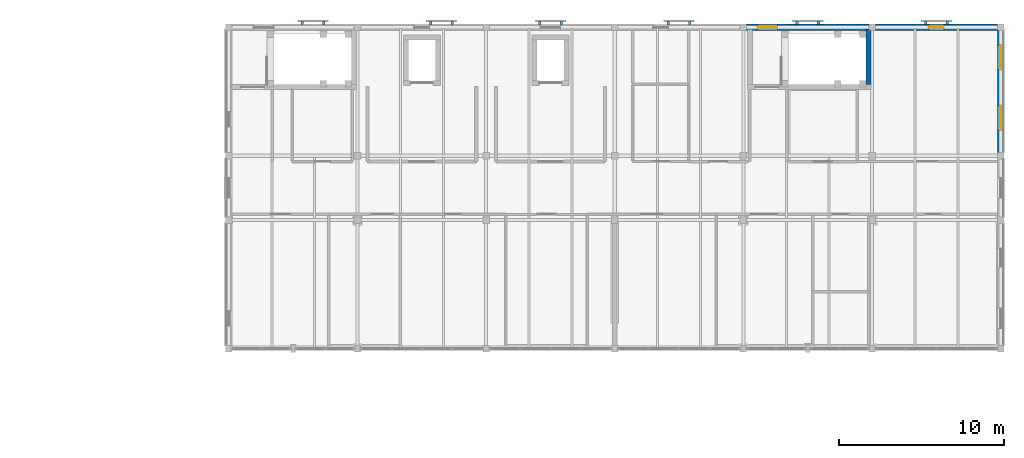
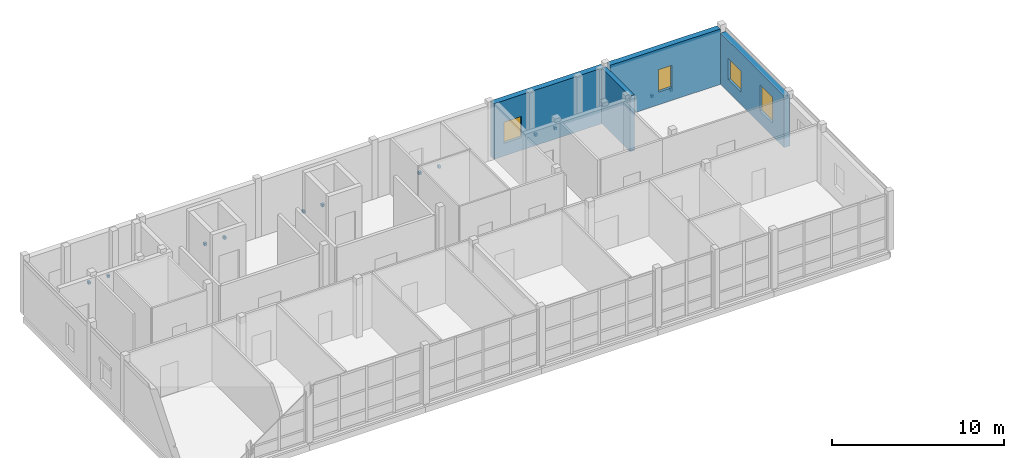
# One storey, part 19 of 21: 12 discrete accessories, 4 walls, 4 windows, 4 openings.
"""IFC4 building model written with IfcOpenShell, lengths in metres."""

import ifcopenshell
import ifcopenshell.guid

model = None  # the IFC model being written
_history = None  # IfcOwnerHistory: only IFC2X3 demands one
_inside = {}  # id of a spatial element -> (the spatial element, [elements in it])
_under = {}  # id of a project, library or spatial element -> (it, [spatial elements below it])
_declared = {}  # id of a project -> (the project, [libraries it declares])
_typed = {}  # id of a type object -> (the type object, [elements of that type])
_made_of = {}  # id of a material, layer set ... -> (it, [elements and type objects made of it])


def new_model(schema):
    """Start an empty IFC model of exactly this schema.

    Asked for "IFC4X3", IfcOpenShell would pick the latest addendum, in which some entities
    have other attributes; the version numbers below select the first issue.
    IFC2X3 requires an IfcOwnerHistory on every rooted entity: one is made here for all.
    """
    global model, _history
    if schema == "IFC4X3":
        model = ifcopenshell.file(schema_version=(4, 3, 0, 0))
    else:
        model = ifcopenshell.file(schema=schema)
    _inside.clear()
    _under.clear()
    _declared.clear()
    _typed.clear()
    _made_of.clear()
    _history = None
    if model.schema == "IFC2X3":
        org = make("IfcOrganization", Name="unknown")
        user = make(
            "IfcPersonAndOrganization",
            ThePerson=make("IfcPerson", FamilyName="unknown"),
            TheOrganization=org,
        )
        app = make(
            "IfcApplication",
            ApplicationDeveloper=org,
            Version="unknown",
            ApplicationFullName="unknown",
            ApplicationIdentifier="unknown",
        )
        _history = make(
            "IfcOwnerHistory",
            OwningUser=user,
            OwningApplication=app,
            ChangeAction="ADDED",
            CreationDate=0,
        )
    return model


def make(cls, **values):
    """One entity of the class cls with the attributes given. An attribute that is None is left unset."""
    return model.create_entity(
        cls, **{name: value for name, value in values.items() if value is not None}
    )


def rooted(cls, **values):
    """An entity with a GlobalId (a new one), such as an element, a storey or a relation."""
    return make(cls, GlobalId=ifcopenshell.guid.new(), OwnerHistory=_history, **values)


def si_unit(unit_type, name, prefix=None):
    """IfcSIUnit, for example si_unit("LENGTHUNIT", "METRE", prefix="MILLI")."""
    return make("IfcSIUnit", UnitType=unit_type, Prefix=prefix, Name=name)


def assignment(units):
    """IfcUnitAssignment: the units of a project."""
    return None if units is None else make("IfcUnitAssignment", Units=units)


def point(xyz):
    """IfcCartesianPoint."""
    return None if xyz is None else make("IfcCartesianPoint", Coordinates=xyz)


def direction(xyz):
    """IfcDirection."""
    return None if xyz is None else make("IfcDirection", DirectionRatios=xyz)


def frame(location, z_axis=None, x_axis=None):
    """IfcAxis2Placement3D, a coordinate frame: its origin and axes. An axis left out is left unset."""
    return make(
        "IfcAxis2Placement3D",
        Location=point(location),
        Axis=direction(z_axis),
        RefDirection=direction(x_axis),
    )


def frame_2d(location, x_axis=None):
    """IfcAxis2Placement2D, a coordinate frame in the plane: its origin and x axis."""
    return make(
        "IfcAxis2Placement2D", Location=point(location), RefDirection=direction(x_axis)
    )


def origin():
    """The frame at (0, 0, 0) with its axes left unset."""
    return frame((0.0, 0.0, 0.0))


def origin_2d():
    """The frame at (0, 0) in the plane with its x axis left unset."""
    return frame_2d((0.0, 0.0))


def place(relative_to, where):
    """IfcLocalPlacement: puts the frame where relative to a parent placement (None: the world)."""
    return make(
        "IfcLocalPlacement", PlacementRelTo=relative_to, RelativePlacement=where
    )


def context(
    kind, dimensions, precision=None, world=None, true_north=None, identifier=None
):
    """IfcGeometricRepresentationContext, for example the 3D "Model" context."""
    return make(
        "IfcGeometricRepresentationContext",
        ContextIdentifier=identifier,
        ContextType=kind,
        CoordinateSpaceDimension=dimensions,
        Precision=precision,
        WorldCoordinateSystem=world,
        TrueNorth=true_north,
    )


def subcontext(parent, identifier, kind, view, scale=None):
    """IfcGeometricRepresentationSubContext, for example "Body" below "Model"."""
    return make(
        "IfcGeometricRepresentationSubContext",
        ContextIdentifier=identifier,
        ContextType=kind,
        ParentContext=parent,
        TargetScale=scale,
        TargetView=view,
    )


def project(units=None, contexts=None):
    """IfcProject with its units and contexts."""
    return rooted(
        "IfcProject",
        Name="project",
        RepresentationContexts=contexts,
        UnitsInContext=assignment(units),
    )


def spatial(cls, under=None, at=None, **own):
    """A site, building, storey or space (cls), placed at a placement, below another one or the project."""
    s = rooted(cls, ObjectPlacement=at, **own)
    if under is not None:
        _under.setdefault(under.id(), (under, []))[1].append(s)
    return s


def profile(cls, at=None, kind="AREA", **sizes):
    """A parametric profile (cls). Its sizes go by their IFC names, for example OverallWidth=200.0."""
    return make(cls, ProfileType=kind, Position=at, **sizes)


def rectangle(**sizes):
    """IfcRectangleProfileDef."""
    return profile("IfcRectangleProfileDef", **sizes)


def extrude(swept, where, along, depth):
    """IfcExtrudedAreaSolid: the profile swept, set in the frame where, extruded along a direction by depth."""
    return make(
        "IfcExtrudedAreaSolid",
        SweptArea=swept,
        Position=where,
        ExtrudedDirection=direction(along),
        Depth=depth,
    )


def shape(context_of_items, identifier, shape_type, items):
    """IfcShapeRepresentation: the items that make up one representation, for example the "Body"."""
    return make(
        "IfcShapeRepresentation",
        ContextOfItems=context_of_items,
        RepresentationIdentifier=identifier,
        RepresentationType=shape_type,
        Items=items,
    )


def material(Name=None, Category=None):
    """IfcMaterial."""
    return make("IfcMaterial", Name=Name, Category=Category)


def layer(
    of_material, thickness, ventilated=None, Name=None, Category=None, Priority=None
):
    """IfcMaterialLayer: one layer of a wall or slab, of a material (None: an air gap)."""
    return make(
        "IfcMaterialLayer",
        Material=of_material,
        LayerThickness=thickness,
        IsVentilated=ventilated,
        Name=Name,
        Category=Category,
        Priority=Priority,
    )


def layer_set(layers, Name=None):
    """IfcMaterialLayerSet."""
    return make("IfcMaterialLayerSet", MaterialLayers=layers, LayerSetName=Name)


def made_of(thing, what):
    """Note that an element or type object is made of a material, layer set ...; save() writes the relation."""
    if what is not None:
        _made_of.setdefault(what.id(), (what, []))[1].append(thing)
    return thing


def type_object(cls, material=None, **own):
    """A type object (cls), such as IfcWallType, which elements share."""
    return made_of(rooted(cls, **own), material)


def element(
    cls,
    number,
    at=None,
    inside=None,
    cuts=None,
    type_object=None,
    material=None,
    context=None,
    identifier="Body",
    shape_type=None,
    held_by="IfcProductDefinitionShape",
    body=None,
    shapes=None,
    **own,
):
    """One element of the class cls, such as IfcWall. Its Tag is "e" and its number.

    at: its placement. inside: the storey or other place that contains it. cuts: it is an
    opening in that element (IfcRelVoidsElement). A single representation is given by context,
    identifier, shape_type and body (its items); several are given by shapes. held_by: the class
    of the entity that holds the representations. save() writes the other relations.
    """
    e = rooted(cls, Tag="e%d" % number, ObjectPlacement=at, **own)
    if body is not None:
        shapes = [shape(context, identifier, shape_type, body)]
    if shapes is not None:
        e.Representation = make(held_by, Representations=shapes)
    if inside is not None:
        _inside.setdefault(inside.id(), (inside, []))[1].append(e)
    if cuts is not None:
        rooted(
            "IfcRelVoidsElement", RelatingBuildingElement=cuts, RelatedOpeningElement=e
        )
    if type_object is not None:
        _typed.setdefault(type_object.id(), (type_object, []))[1].append(e)
    return made_of(e, material)


def fill(opening, filler):
    """IfcRelFillsElement: the door or window that sits in an opening."""
    return rooted(
        "IfcRelFillsElement",
        RelatingOpeningElement=opening,
        RelatedBuildingElement=filler,
    )


def aggregate(whole, parts):
    """IfcRelAggregates: a whole, such as a stair, and the parts it consists of."""
    return rooted("IfcRelAggregates", RelatingObject=whole, RelatedObjects=parts)


def save(model, path):
    """Write the relations noted so far, then the file.

    IfcRelAggregates (storeys below a building ...), IfcRelContainedInSpatialStructure (elements
    in a storey), IfcRelDefinesByType, IfcRelAssociatesMaterial and IfcRelDeclares: one each for
    every whole, place, type object, material and project.
    """
    for whole, parts in _under.values():
        aggregate(whole, parts)
    for where, things in _inside.values():
        rooted(
            "IfcRelContainedInSpatialStructure",
            RelatedElements=things,
            RelatingStructure=where,
        )
    for kind, things in _typed.values():
        rooted("IfcRelDefinesByType", RelatedObjects=things, RelatingType=kind)
    for what, things in _made_of.values():
        rooted("IfcRelAssociatesMaterial", RelatedObjects=things, RelatingMaterial=what)
    for by, libraries in _declared.values():
        rooted("IfcRelDeclares", RelatingContext=by, RelatedDefinitions=libraries)
    model.write(path)


model = new_model("IFC4")

# Units and contexts
model_context = context("Model", 3, precision=1e-05, world=origin(), true_north=direction((0.0, 1.0)))
body_context = subcontext(model_context, "Body", "Model", "MODEL_VIEW")
ifc_project = project(units=[si_unit("LENGTHUNIT", "METRE"), si_unit("AREAUNIT", "SQUARE_METRE"), si_unit("VOLUMEUNIT", "CUBIC_METRE"), si_unit("PLANEANGLEUNIT", "RADIAN"), si_unit("MASSUNIT", "GRAM", prefix="KILO")], contexts=[model_context])

# Site, building, storey
site_placement = place(None, origin())
site = spatial("IfcSite", under=ifc_project, at=site_placement, CompositionType="ELEMENT")
building_placement = place(site_placement, origin())
building = spatial("IfcBuilding", under=site, at=building_placement, Name="Celorna Specialist Clinic", CompositionType="ELEMENT")
storey_placement = place(building_placement, frame((0.0, 0.0, 23.10009765625)))
storey = spatial("IfcBuildingStorey", under=building, at=storey_placement, Name="L05", CompositionType="ELEMENT", Elevation=23.10009765625)

# Wall, opening, window
ifc_material_1 = material(Name="Terracotta masonry with insulated cavity", Category="masonry")
ifc_layer_1 = layer(ifc_material_1, 0.3798828125, Name="Terracotta masonry with insulated cavity")
ifc_layer_set_1 = layer_set([ifc_layer_1], Name="Terracotta masonry with insulated cavity")
wall_type_1 = type_object("IfcWallType", Name="WT-06", PredefinedType="STANDARD", material=ifc_layer_set_1)
wall_1_placement = place(storey_placement, frame((78.199951171875, 116.0, 0.0), z_axis=(0.0, 0.0, 1.0), x_axis=(1.0, 0.0, 0.0)))
wall_1 = element("IfcWall", 1, at=wall_1_placement, inside=storey, type_object=wall_type_1, Name="External facade wall WT-06 #290", PredefinedType="STANDARD", context=body_context, shape_type="SweptSolid", body=[
    extrude(rectangle(XDim=7.400146484375, YDim=0.3798828125, at=frame_2d((3.7001953125, 0.0))), origin(), (0.0, 0.0, 1.0), 3.93994140625),
])
opening_1_placement = place(wall_1_placement, frame((0.6650390625, 0.0, 0.89990234375)))
opening_1 = element("IfcOpeningElement", 2, at=opening_1_placement, cuts=wall_1, Name="Opening WN-04", PredefinedType="OPENING", context=body_context, shape_type="SweptSolid", body=[
    extrude(rectangle(XDim=1.199951171875, YDim=1.5, at=frame_2d((0.60009765625, 0.75))), frame((0.0, 0.199951171875, 0.0), z_axis=(0.0, -1.0, 0.0), x_axis=(1.0, 0.0, 0.0)), (0.0, 0.0, 1.0), 0.39990234375),
])
ifc_material_2 = material(Name="Thermally broken aluminium triple-glazed window", Category="aluminium")
window_type_1 = type_object("IfcWindowType", Name="WN-04", PartitioningType="SINGLE_PANEL", PredefinedType="WINDOW", material=ifc_material_2)
window_1_placement = place(opening_1_placement, origin())
window_1 = element("IfcWindow", 3, at=window_1_placement, inside=storey, type_object=window_type_1, Name="Facade window WN-04 #169", OverallHeight=1.5, OverallWidth=1.199951171875, PartitioningType="SINGLE_PANEL", PredefinedType="WINDOW", context=body_context, shape_type="SweptSolid", body=[
    extrude(rectangle(XDim=1.199951171875, YDim=1.5, at=frame_2d((0.60009765625, 0.75))), frame((0.0, 0.030029296875, 0.0), z_axis=(0.0, -1.0, 0.0), x_axis=(1.0, 0.0, 0.0)), (0.0, 0.0, 1.0), 0.06005859375),
])
fill(opening_1, window_1)

wall_2_placement = place(storey_placement, frame((86.0, 116.0, 0.0), z_axis=(0.0, 0.0, 1.0), x_axis=(1.0, 0.0, 0.0)))
wall_2 = element("IfcWall", 4, at=wall_2_placement, inside=storey, type_object=wall_type_1, Name="External facade wall WT-06 #291", PredefinedType="STANDARD", context=body_context, shape_type="SweptSolid", body=[
    extrude(rectangle(XDim=7.39990234375, YDim=0.3798828125, at=frame_2d((3.699951171875, 0.0))), origin(), (0.0, 0.0, 1.0), 3.93994140625),
])
opening_2_placement = place(wall_2_placement, frame((3.25, 0.0, 0.89990234375)))
opening_2 = element("IfcOpeningElement", 5, at=opening_2_placement, cuts=wall_2, Name="Opening WN-01", PredefinedType="OPENING", context=body_context, shape_type="SweptSolid", body=[
    extrude(rectangle(XDim=0.89990234375, YDim=1.60009765625, at=frame_2d((0.449951171875, 0.800048828125))), frame((0.0, 0.199951171875, 0.0), z_axis=(0.0, -1.0, 0.0), x_axis=(1.0, 0.0, 0.0)), (0.0, 0.0, 1.0), 0.39990234375),
])
window_type_2 = type_object("IfcWindowType", Name="WN-01", PartitioningType="SINGLE_PANEL", PredefinedType="WINDOW", material=ifc_material_2)
window_2_placement = place(opening_2_placement, origin())
window_2 = element("IfcWindow", 6, at=window_2_placement, inside=storey, type_object=window_type_2, Name="Facade window WN-01 #170", OverallHeight=1.60009765625, OverallWidth=0.89990234375, PartitioningType="SINGLE_PANEL", PredefinedType="WINDOW", context=body_context, shape_type="SweptSolid", body=[
    extrude(rectangle(XDim=0.89990234375, YDim=1.60009765625, at=frame_2d((0.449951171875, 0.800048828125))), frame((0.0, 0.030029296875, 0.0), z_axis=(0.0, -1.0, 0.0), x_axis=(1.0, 0.0, 0.0)), (0.0, 0.0, 1.0), 0.06005859375),
])
fill(opening_2, window_2)

# Wall, openings, windows
wall_3_placement = place(storey_placement, frame((93.60009765625, 115.800048828125, 0.0), z_axis=(0.0, 0.0, 1.0), x_axis=(0.0, -1.0, 0.0)))
wall_3 = element("IfcWall", 7, at=wall_3_placement, inside=storey, type_object=wall_type_1, Name="External facade wall WT-06 #297", PredefinedType="STANDARD", context=body_context, shape_type="SweptSolid", body=[
    extrude(rectangle(XDim=7.400146484375, YDim=0.3798828125, at=frame_2d((3.7001953125, 0.0))), origin(), (0.0, 0.0, 1.0), 3.64990234375),
])
opening_3_placement = place(wall_3_placement, frame((0.885009765625, 0.0, 0.89990234375)))
opening_3 = element("IfcOpeningElement", 8, at=opening_3_placement, cuts=wall_3, Name="Opening WN-08", PredefinedType="OPENING", context=body_context, shape_type="SweptSolid", body=[
    extrude(rectangle(XDim=1.5, YDim=1.5, at=frame_2d((0.75, 0.75))), frame((0.0, 0.199951171875, 0.0), z_axis=(0.0, -1.0, 0.0), x_axis=(1.0, 0.0, 0.0)), (0.0, 0.0, 1.0), 0.39990234375),
])
opening_4_placement = place(wall_3_placement, frame((4.56494140625, 0.0, 0.89990234375)))
opening_4 = element("IfcOpeningElement", 9, at=opening_4_placement, cuts=wall_3, Name="Opening WN-09", PredefinedType="OPENING", context=body_context, shape_type="SweptSolid", body=[
    extrude(rectangle(XDim=1.5, YDim=1.85009765625, at=frame_2d((0.75, 0.925048828125))), frame((0.0, 0.199951171875, 0.0), z_axis=(0.0, -1.0, 0.0), x_axis=(1.0, 0.0, 0.0)), (0.0, 0.0, 1.0), 0.39990234375),
])
window_type_3 = type_object("IfcWindowType", Name="WN-08", PartitioningType="SINGLE_PANEL", PredefinedType="WINDOW", material=ifc_material_2)
window_3_placement = place(opening_3_placement, origin())
window_3 = element("IfcWindow", 10, at=window_3_placement, inside=storey, type_object=window_type_3, Name="Facade window WN-08 #177", OverallHeight=1.5, OverallWidth=1.5, PartitioningType="SINGLE_PANEL", PredefinedType="WINDOW", context=body_context, shape_type="SweptSolid", body=[
    extrude(rectangle(XDim=1.5, YDim=1.5, at=frame_2d((0.75, 0.75))), frame((0.0, 0.030029296875, 0.0), z_axis=(0.0, -1.0, 0.0), x_axis=(1.0, 0.0, 0.0)), (0.0, 0.0, 1.0), 0.06005859375),
])
fill(opening_3, window_3)
window_type_4 = type_object("IfcWindowType", Name="WN-09", PartitioningType="SINGLE_PANEL", PredefinedType="WINDOW", material=ifc_material_2)
window_4_placement = place(opening_4_placement, origin())
window_4 = element("IfcWindow", 11, at=window_4_placement, inside=storey, type_object=window_type_4, Name="Facade window WN-09 #178", OverallHeight=1.85009765625, OverallWidth=1.5, PartitioningType="SINGLE_PANEL", PredefinedType="WINDOW", context=body_context, shape_type="SweptSolid", body=[
    extrude(rectangle(XDim=1.5, YDim=1.85009765625, at=frame_2d((0.75, 0.925048828125))), frame((0.0, 0.030029296875, 0.0), z_axis=(0.0, -1.0, 0.0), x_axis=(1.0, 0.0, 0.0)), (0.0, 0.0, 1.0), 0.06005859375),
])
fill(opening_4, window_4)

# Wall
ifc_material_3 = material(Name="Concrete C35/45", Category="concrete")
ifc_layer_2 = layer(ifc_material_3, 0.300048828125, Name="Concrete C35/45")
ifc_layer_set_2 = layer_set([ifc_layer_2], Name="Concrete C35/45")
wall_type_2 = type_object("IfcWallType", Name="WT-08", PredefinedType="SHEAR", material=ifc_layer_set_2)
wall_4_placement = place(storey_placement, frame((85.590087890625, 112.52001953125, 0.0), z_axis=(0.0, 0.0, 1.0), x_axis=(0.0, 1.0, 0.0)))
element("IfcWall", 12, at=wall_4_placement, inside=storey, type_object=wall_type_2, Name="Stair ST-02 RC core wall L05 east", PredefinedType="SHEAR", context=body_context, shape_type="SweptSolid", body=[
    extrude(rectangle(XDim=3.330078125, YDim=0.300048828125, at=frame_2d((1.6650390625, 0.0))), origin(), (0.0, 0.0, 1.0), 3.93994140625),
])

# Discrete accessories
ifc_material_4 = material(Name="Stainless steel S355 fixing bracket", Category="steel")
discrete_accessory_type = type_object("IfcDiscreteAccessoryType", Name="BRK-01", PredefinedType="BRACKET", material=ifc_material_4)
for number, where, z_axis, x_axis, name in (
    (13, (51.25, 116.239990234375, 0.35986328125), (0.0, 0.0, 1.0), (1.0, 0.0, 0.0), "Screen support bracket #7"),
    (14, (52.550048828125, 116.239990234375, 0.35986328125), (0.0, 0.0, 1.0), (1.0, 0.0, 0.0), "Screen support bracket #7"),
    (15, (59.050048828125, 116.239990234375, 0.35986328125), (0.0, 0.0, 1.0), (1.0, 0.0, 0.0), "Screen support bracket #8"),
    (16, (60.35009765625, 116.239990234375, 0.35986328125), (0.0, 0.0, 1.0), (1.0, 0.0, 0.0), "Screen support bracket #8"),
    (17, (65.64990234375, 116.239990234375, 0.35986328125), (0.0, 0.0, 1.0), (1.0, 0.0, 0.0), "Screen support bracket #9"),
    (18, (66.949951171875, 116.239990234375, 0.35986328125), (0.0, 0.0, 1.0), (1.0, 0.0, 0.0), "Screen support bracket #9"),
    (19, (73.449951171875, 116.239990234375, 0.35986328125), (0.0, 0.0, 1.0), (1.0, 0.0, 0.0), "Screen support bracket #10"),
    (20, (74.75, 116.239990234375, 0.35986328125), (0.0, 0.0, 1.0), (1.0, 0.0, 0.0), "Screen support bracket #10"),
    (21, (81.25, 116.239990234375, 0.35986328125), (0.0, 0.0, 1.0), (1.0, 0.0, 0.0), "Screen support bracket #11"),
    (22, (82.550048828125, 116.239990234375, 0.35986328125), (0.0, 0.0, 1.0), (1.0, 0.0, 0.0), "Screen support bracket #11"),
    (23, (89.050048828125, 116.239990234375, 0.35986328125), (0.0, 0.0, 1.0), (1.0, 0.0, 0.0), "Screen support bracket #12"),
    (24, (90.35009765625, 116.239990234375, 0.35986328125), (0.0, 0.0, 1.0), (1.0, 0.0, 0.0), "Screen support bracket #12"),
):
    element("IfcDiscreteAccessory", number, at=place(storey_placement, frame(where, z_axis=z_axis, x_axis=x_axis)), inside=storey, type_object=discrete_accessory_type, Name=name, PredefinedType="BRACKET", context=body_context, shape_type="SweptSolid", body=[
        extrude(rectangle(XDim=0.159912109375, YDim=0.179931640625, at=origin_2d()), origin(), (0.0, 0.0, 1.0), 0.179931640625),
    ])

save(model, "model.ifc")
